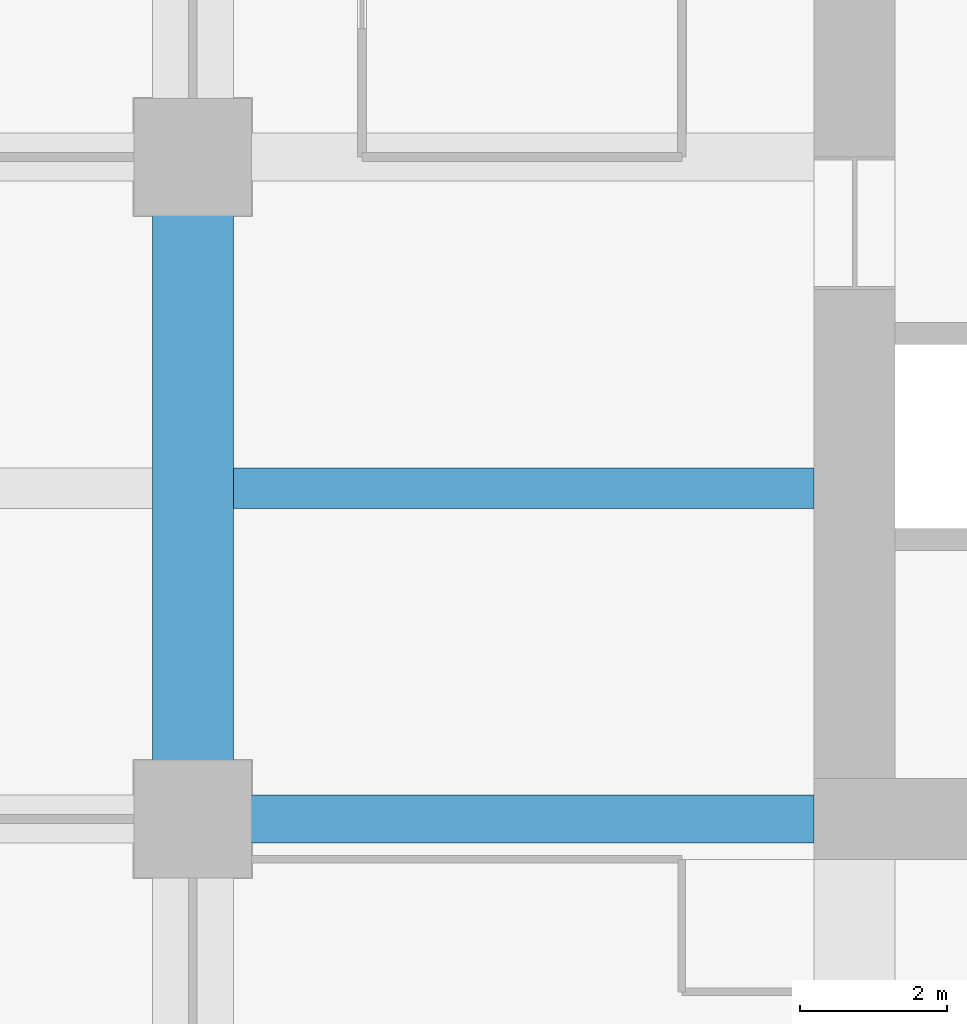
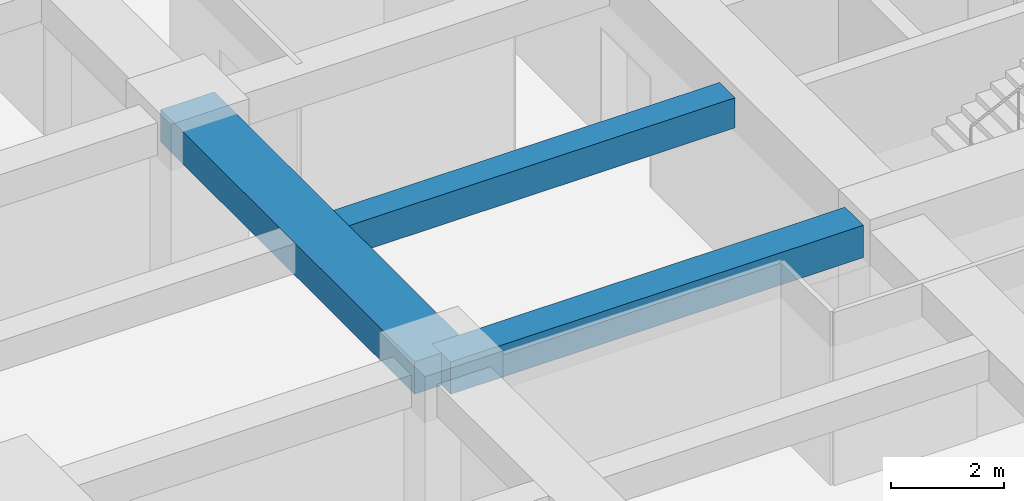
# One storey, part 10 of 32: 3 beams.
"""IFC4 building model written with IfcOpenShell, lengths in metres."""

from ifc_helpers import new_model, si_unit, direction, frame, origin, origin_2d, place, context, subcontext, project, spatial, rectangle, extrude, material, material_profile, profile_set, type_object, element, save


model = new_model("IFC4")

# Units and contexts
model_context = context("Model", 3, precision=1e-05, world=origin(), true_north=direction((0.0, 1.0)))
body_context = subcontext(model_context, "Body", "Model", "MODEL_VIEW")
ifc_project = project(units=[si_unit("LENGTHUNIT", "METRE"), si_unit("AREAUNIT", "SQUARE_METRE"), si_unit("VOLUMEUNIT", "CUBIC_METRE"), si_unit("PLANEANGLEUNIT", "RADIAN"), si_unit("MASSUNIT", "GRAM", prefix="KILO")], contexts=[model_context])

# Site, building, storey
site_placement = place(None, origin())
site = spatial("IfcSite", under=ifc_project, at=site_placement, CompositionType="ELEMENT")
building_placement = place(site_placement, origin())
building = spatial("IfcBuilding", under=site, at=building_placement, Name="Zorevar Civic Tower", CompositionType="ELEMENT")
storey_placement = place(building_placement, frame((0.0, 0.0, 190.199951171875)))
storey = spatial("IfcBuildingStorey", under=building, at=storey_placement, Name="L46", CompositionType="ELEMENT", Elevation=190.199951171875)

# Beams
ifc_material_1 = material(Name="Concrete C50/60", Category="concrete")
ifc_material_profile_1 = material_profile(ifc_material_1, rectangle(XDim=1.10009765625, YDim=0.699951171875, at=origin_2d()), Name="RC 1100x700")
ifc_profile_set_1 = profile_set([ifc_material_profile_1], Name="Concrete C50/60")
beam_type_1 = type_object("IfcBeamType", Name="Beam RC 1100x700", PredefinedType="BEAM", material=ifc_profile_set_1)
beam_1_placement = place(storey_placement, frame((9.0, 18.0, 3.400146484375), z_axis=(0.0, 1.0, 0.0), x_axis=(-1.0, 0.0, 0.0)))
element("IfcBeam", 1, at=beam_1_placement, inside=storey, type_object=beam_type_1, Name="Girder L47", PredefinedType="BEAM", context=body_context, shape_type="SweptSolid", body=[
    extrude(rectangle(XDim=1.10009765625, YDim=0.699951171875, at=origin_2d()), origin(), (0.0, 0.0, 1.0), 9.0),
])
ifc_material_2 = material(Name="Concrete C50/60", Category="concrete")
ifc_material_profile_2 = material_profile(ifc_material_2, rectangle(XDim=0.550048828125, YDim=0.64990234375, at=origin_2d()), Name="RC 550x650")
ifc_profile_set_2 = profile_set([ifc_material_profile_2], Name="Concrete C50/60")
beam_type_2 = type_object("IfcBeamType", Name="Beam RC 550x650", PredefinedType="BEAM", material=ifc_profile_set_2)
beam_2_placement = place(storey_placement, frame((9.550048828125, 22.5, 3.425048828125), z_axis=(1.0, 0.0, 0.0), x_axis=(0.0, 1.0, 0.0)))
element("IfcBeam", 2, at=beam_2_placement, inside=storey, type_object=beam_type_2, Name="Secondary beam L47", PredefinedType="BEAM", context=body_context, shape_type="SweptSolid", body=[
    extrude(rectangle(XDim=0.550048828125, YDim=0.64990234375, at=origin_2d()), origin(), (0.0, 0.0, 1.0), 7.89990234375),
])
ifc_material_3 = material(Name="Concrete C50/60", Category="concrete")
ifc_material_profile_3 = material_profile(ifc_material_3, rectangle(XDim=0.64990234375, YDim=0.699951171875, at=origin_2d()), Name="RC 650x700")
ifc_profile_set_3 = profile_set([ifc_material_profile_3], Name="Concrete C50/60")
beam_type_3 = type_object("IfcBeamType", Name="Beam RC 650x700", PredefinedType="BEAM", material=ifc_profile_set_3)
beam_3_placement = place(storey_placement, frame((9.0, 18.0, 3.400146484375), z_axis=(1.0, 0.0, 0.0), x_axis=(0.0, 1.0, 0.0)))
element("IfcBeam", 3, at=beam_3_placement, inside=storey, type_object=beam_type_3, Name="Girder L47", PredefinedType="BEAM", context=body_context, shape_type="SweptSolid", body=[
    extrude(rectangle(XDim=0.64990234375, YDim=0.699951171875, at=origin_2d()), origin(), (0.0, 0.0, 1.0), 8.449951171875),
])

save(model, "model.ifc")
